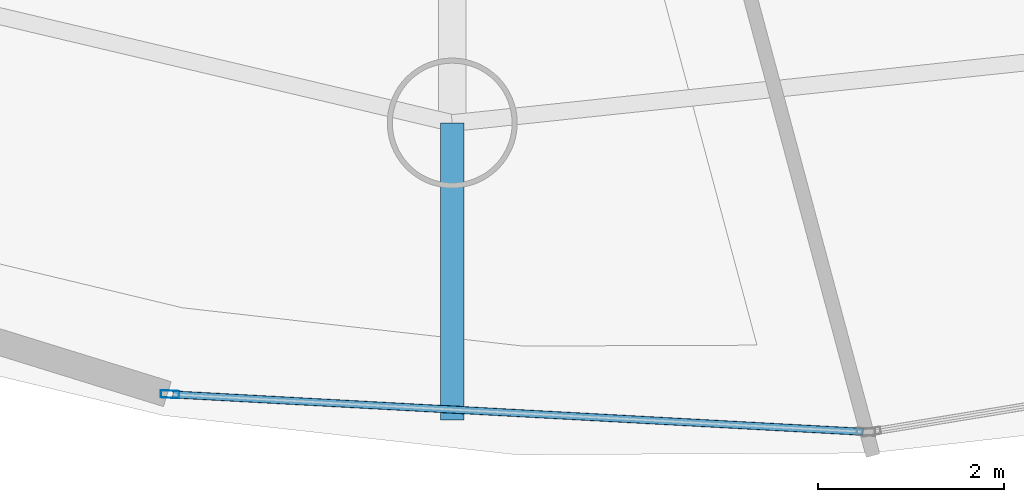
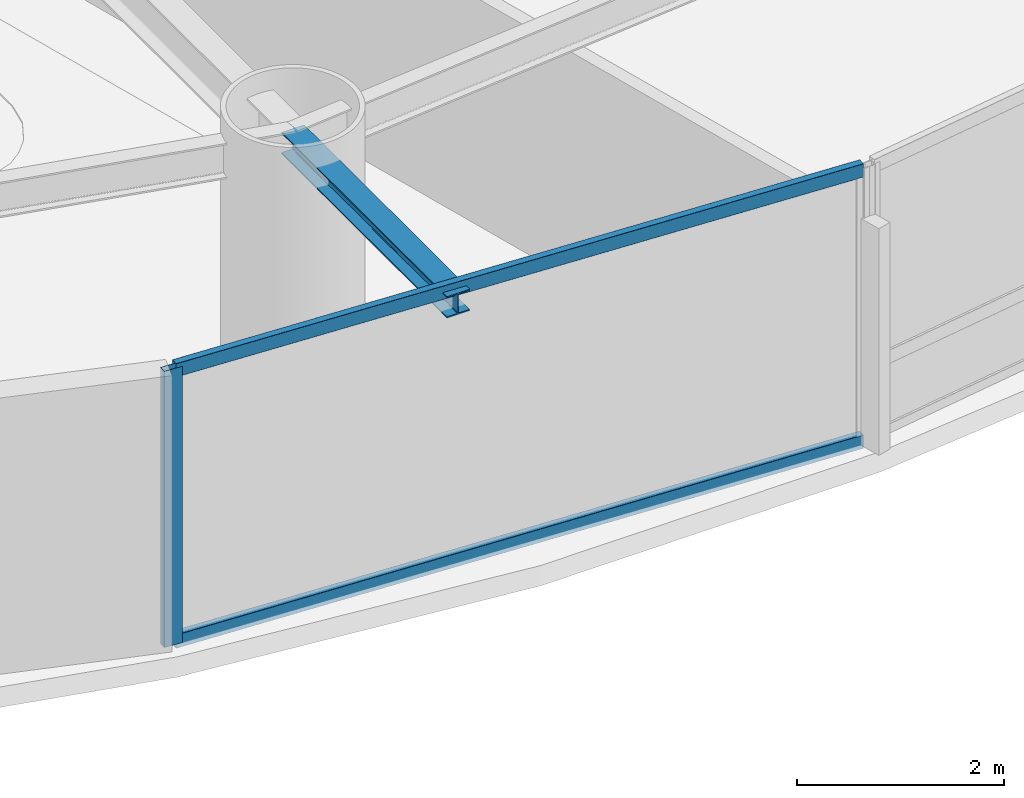
# One storey, part 2 of 20: 3 members, 1 beam, 1 element without a shape of its own.
"""IFC4 building model written with IfcOpenShell, lengths in metres."""

from ifc_helpers import new_model, si_unit, direction, frame, origin, origin_2d, place, context, subcontext, project, spatial, hollow_rectangle, i_section, extrude, material, layer, layer_set, material_profile, profile_set, type_object, element, aggregate, save


model = new_model("IFC4")

# Units and contexts
model_context = context("Model", 3, precision=1e-05, world=origin(), true_north=direction((0.0, 1.0)))
body_context = subcontext(model_context, "Body", "Model", "MODEL_VIEW")
ifc_project = project(units=[si_unit("LENGTHUNIT", "METRE"), si_unit("AREAUNIT", "SQUARE_METRE"), si_unit("VOLUMEUNIT", "CUBIC_METRE"), si_unit("PLANEANGLEUNIT", "RADIAN"), si_unit("MASSUNIT", "GRAM", prefix="KILO")], contexts=[model_context])

# Site, building, storey
site_placement = place(None, origin())
site = spatial("IfcSite", under=ifc_project, at=site_placement, CompositionType="ELEMENT")
building_placement = place(site_placement, origin())
building = spatial("IfcBuilding", under=site, at=building_placement, Name="Bramvorn Convention Spire", CompositionType="ELEMENT")
storey_placement = place(building_placement, frame((0.0, 0.0, 130.800048828125)))
storey = spatial("IfcBuildingStorey", under=building, at=storey_placement, Name="L32", CompositionType="ELEMENT", Elevation=130.800048828125)

# Beam
ifc_material_1 = material(Name="Steel CSA G40.21 Grade 350 (350W)", Category="steel")
ifc_material_profile_1 = material_profile(ifc_material_1, i_section(OverallWidth=0.25390625, OverallDepth=0.2529296875, WebThickness=0.008544921875, FlangeThickness=0.01416015625, FilletRadius=0.011962890625, at=origin_2d()))
ifc_profile_set_1 = profile_set([ifc_material_profile_1], Name="Steel CSA G40.21 Grade 350 (350W) - W250X73")
beam_type = type_object("IfcBeamType", Name="BM-W250X73", PredefinedType="BEAM", material=ifc_profile_set_1)
beam_placement = place(storey_placement, frame((39.924072265625, 5.482666015625, 3.1083984375), z_axis=(0.0, -1.0, 0.0), x_axis=(1.0, 0.0, 0.0)))
element("IfcBeam", 1, at=beam_placement, inside=storey, type_object=beam_type, Name="L32 slab-edge cantilever tip beam MC14", PredefinedType="BEAM", context=body_context, shape_type="SweptSolid", body=[
    extrude(i_section(OverallWidth=0.25390625, OverallDepth=0.2529296875, WebThickness=0.008544921875, FlangeThickness=0.01416015625, FilletRadius=0.011962890625, at=origin_2d()), origin(), (0.0, 0.0, 1.0), 3.199951171875),
])

# Curtain wall, members
ifc_material_2 = material(Name="Anodised Bronze Unitised Curtain Wall", Category="aluminium")
ifc_layer = layer(ifc_material_2, 0.179931640625)
ifc_layer_set = layer_set([ifc_layer], Name="Anodised Bronze Unitised Curtain Wall - CW-HTL-FRIT")
curtain_wall_type = type_object("IfcCurtainWallType", Name="CW-HTL-FRIT", PredefinedType="USERDEFINED", material=ifc_layer_set)
curtain_wall_placement = place(storey_placement, origin())
curtain_wall = element("IfcCurtainWall", 2, at=curtain_wall_placement, inside=storey, type_object=curtain_wall_type, Name="L32 fritted glass curtain wall 20", ObjectType="UNITISED CURTAIN WALL", PredefinedType="USERDEFINED")
ifc_material_3 = material(Name="Anodised Bronze Aluminium 6063-T6", Category="aluminium")
ifc_material_profile_2 = material_profile(ifc_material_3, hollow_rectangle(XDim=0.080078125, YDim=0.199951171875, WallThickness=0.00390625, InnerFilletRadius=0.0009765625, OuterFilletRadius=0.00390625, at=origin_2d()))
ifc_profile_set_2 = profile_set([ifc_material_profile_2], Name="Anodised Bronze Aluminium 6063-T6 - CWM80X200")
member_type_1 = type_object("IfcMemberType", Name="CW-MUL-180", PredefinedType="MULLION", material=ifc_profile_set_2)
member_1_placement = place(storey_placement, frame((36.883544921875, 2.560791015625, 0.0), z_axis=(0.0, 0.0, 1.0), x_axis=(-0.054087762064, -0.998536185621, 0.0)))
member_1 = element("IfcMember", 3, at=member_1_placement, type_object=member_type_1, Name="CW2 mullion 2", PredefinedType="MULLION", context=body_context, shape_type="SweptSolid", body=[
    extrude(hollow_rectangle(XDim=0.080078125, YDim=0.199951171875, WallThickness=0.00390625, InnerFilletRadius=0.0009765625, OuterFilletRadius=0.00390625, at=origin_2d()), origin(), (0.0, 0.0, 1.0), 3.260009765625),
])
ifc_material_profile_3 = material_profile(ifc_material_3, hollow_rectangle(XDim=0.080078125, YDim=0.159912109375, WallThickness=0.00390625, InnerFilletRadius=0.0009765625, OuterFilletRadius=0.00390625, at=origin_2d()))
ifc_profile_set_3 = profile_set([ifc_material_profile_3], Name="Anodised Bronze Aluminium 6063-T6 - CWT80X160")
member_type_2 = type_object("IfcMemberType", Name="CW-TRN-150", PredefinedType="USERDEFINED", material=ifc_profile_set_3)
member_2_placement = place(storey_placement, frame((44.351806640625, 2.15625, 0.030029296875), z_axis=(-0.998536730036, 0.054077710459, 0.0), x_axis=(-0.054077710459, -0.998536730036, 0.0)))
member_2 = element("IfcMember", 4, at=member_2_placement, type_object=member_type_2, Name="CW2 transom 1.1", ObjectType="TRANSOM", PredefinedType="USERDEFINED", context=body_context, shape_type="SweptSolid", body=[
    extrude(hollow_rectangle(XDim=0.080078125, YDim=0.159912109375, WallThickness=0.00390625, InnerFilletRadius=0.0009765625, OuterFilletRadius=0.00390625, at=origin_2d()), origin(), (0.0, 0.0, 1.0), 7.44921875),
])
member_3_placement = place(storey_placement, frame((44.351806640625, 2.15625, 3.22998046875), z_axis=(-0.998536730036, 0.054077710459, 0.0), x_axis=(-0.054077710459, -0.998536730036, 0.0)))
member_3 = element("IfcMember", 5, at=member_3_placement, type_object=member_type_2, Name="CW2 transom 1.2", ObjectType="TRANSOM", PredefinedType="USERDEFINED", context=body_context, shape_type="SweptSolid", body=[
    extrude(hollow_rectangle(XDim=0.080078125, YDim=0.159912109375, WallThickness=0.00390625, InnerFilletRadius=0.0009765625, OuterFilletRadius=0.00390625, at=origin_2d()), origin(), (0.0, 0.0, 1.0), 7.44921875),
])
aggregate(curtain_wall, [member_1, member_2, member_3])

save(model, "model.ifc")
